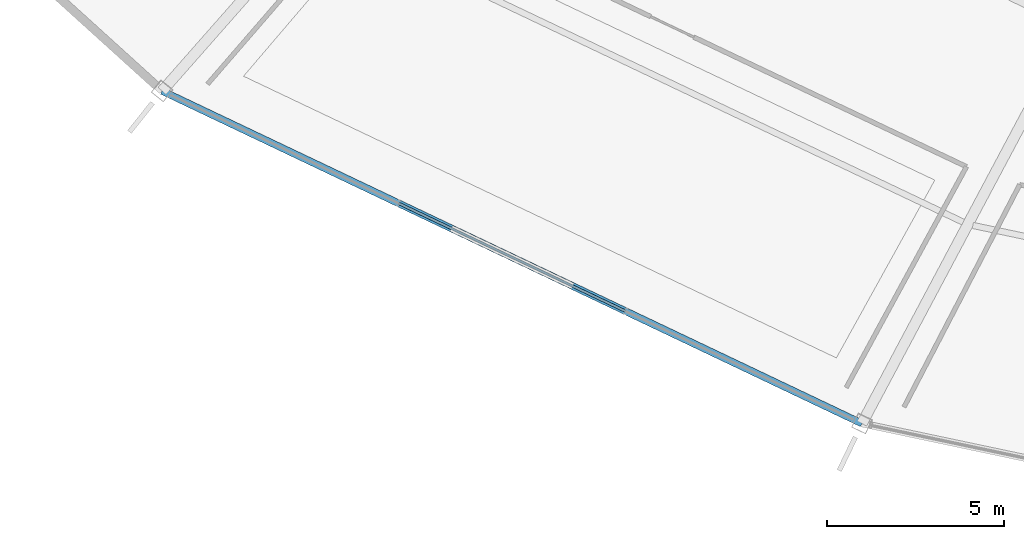
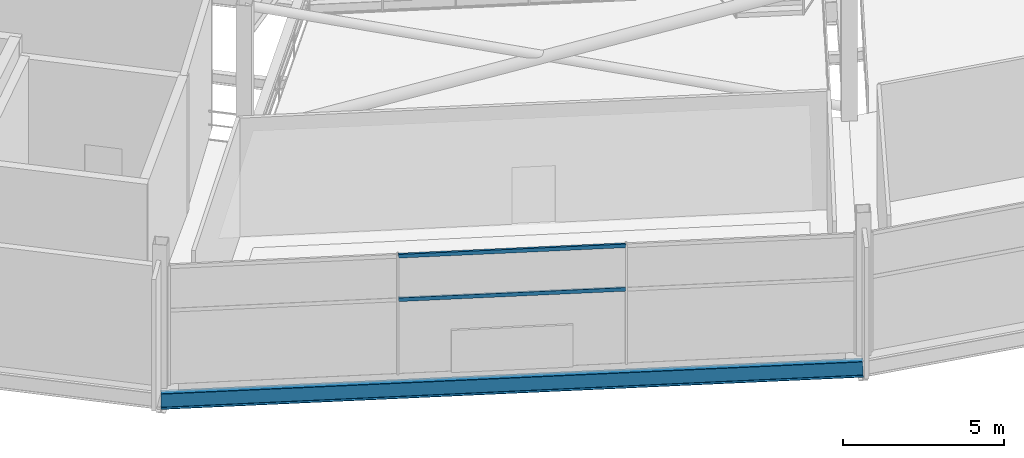
# One storey, part 15 of 186: 2 members, 1 beam, 1 element without a shape of its own.
"""IFC4 building model written with IfcOpenShell, lengths in metres."""

from ifc_helpers import new_model, si_unit, direction, frame, origin, origin_2d, place, context, subcontext, project, spatial, hollow_rectangle, i_section, extrude, material, layer, layer_set, material_profile, profile_set, type_object, element, aggregate, save


model = new_model("IFC4")

# Units and contexts
model_context = context("Model", 3, precision=1e-05, world=origin(), true_north=direction((0.0, 1.0)))
body_context = subcontext(model_context, "Body", "Model", "MODEL_VIEW")
ifc_project = project(units=[si_unit("LENGTHUNIT", "METRE"), si_unit("AREAUNIT", "SQUARE_METRE"), si_unit("VOLUMEUNIT", "CUBIC_METRE"), si_unit("PLANEANGLEUNIT", "RADIAN"), si_unit("MASSUNIT", "GRAM", prefix="KILO")], contexts=[model_context])

# Site, building, storey
site_placement = place(None, origin())
site = spatial("IfcSite", under=ifc_project, at=site_placement, CompositionType="ELEMENT")
building_placement = place(site_placement, origin())
building = spatial("IfcBuilding", under=site, at=building_placement, Name="Kazemori Nagisa Stadium", CompositionType="ELEMENT")
storey_placement = place(building_placement, frame((0.0, 0.0, 20.39990234375)))
storey = spatial("IfcBuildingStorey", under=building, at=storey_placement, Name="L04", CompositionType="ELEMENT", Elevation=20.39990234375)

# Beam
ifc_material_1 = material(Name="Steel SN490B", Category="steel")
ifc_material_profile_1 = material_profile(ifc_material_1, i_section(OverallWidth=0.199951171875, OverallDepth=0.60009765625, WebThickness=0.010986328125, FlangeThickness=0.01708984375, FilletRadius=0.012939453125, at=origin_2d()), Name="H-600x200x11x17")
ifc_profile_set_1 = profile_set([ifc_material_profile_1], Name="Steel SN490B")
beam_type = type_object("IfcBeamType", Name="Beam_BS-H600", PredefinedType="SPANDREL", material=ifc_profile_set_1)
beam_placement = place(storey_placement, frame((60.402099609375, 30.94091796875, -0.599853515625), z_axis=(0.903215644095, -0.429187022475, 0.0), x_axis=(0.429187022475, 0.903215644095, 0.0)))
element("IfcBeam", 1, at=beam_placement, inside=storey, type_object=beam_type, Name="Ring girder BS-H600 L04 R3-19", PredefinedType="SPANDREL", context=body_context, shape_type="SweptSolid", body=[
    extrude(i_section(OverallWidth=0.199951171875, OverallDepth=0.60009765625, WebThickness=0.010986328125, FlangeThickness=0.01708984375, FilletRadius=0.012939453125, at=origin_2d()), origin(), (0.0, 0.0, 1.0), 21.9140625),
])

# Curtain wall, members
ifc_material_2 = material(Name="Anodised aluminium 6063-T5", Category="aluminium")
ifc_layer = layer(ifc_material_2, 0.179931640625, Name="Anodised aluminium 6063-T5", Category="aluminium")
ifc_layer_set = layer_set([ifc_layer], Name="Anodised aluminium 6063-T5")
curtain_wall_type = type_object("IfcCurtainWallType", Name="CW_L04R3_107", PredefinedType="USERDEFINED", material=ifc_layer_set)
curtain_wall_placement = place(storey_placement, origin())
curtain_wall = element("IfcCurtainWall", 2, at=curtain_wall_placement, inside=storey, type_object=curtain_wall_type, Name="Unitised curtain wall CW-L04R3-107 L04", ObjectType="UNITISED CURTAIN WALL", PredefinedType="USERDEFINED")
ifc_material_3 = material(Name="Aluminium 6063-T5 anodised", Category="aluminium")
ifc_material_profile_2 = material_profile(ifc_material_3, hollow_rectangle(XDim=0.070068359375, YDim=0.139892578125, WallThickness=0.00390625, at=origin_2d()), Name="ALU-TRAN-70x140x4")
ifc_profile_set_2 = profile_set([ifc_material_profile_2], Name="Aluminium 6063-T5 anodised")
member_type = type_object("IfcMemberType", Name="Transom_T01", PredefinedType="USERDEFINED", material=ifc_profile_set_2)
member_1_placement = place(storey_placement, frame((67.0947265625, 27.760986328125, 2.80859375), z_axis=(0.903201805793, -0.429216143699, 0.0), x_axis=(0.429216143699, 0.903201805793, 0.0)))
member_1 = element("IfcMember", 3, at=member_1_placement, type_object=member_type, Name="Curtain wall transom CW-L04R3-107-T2-mid", ObjectType="TRANSOM", PredefinedType="USERDEFINED", context=body_context, shape_type="SweptSolid", body=[
    extrude(hollow_rectangle(XDim=0.070068359375, YDim=0.139892578125, WallThickness=0.00390625, at=origin_2d()), origin(), (0.0, 0.0, 1.0), 7.0947265625),
])
member_2_placement = place(storey_placement, frame((67.0947265625, 27.760986328125, 4.460205078125), z_axis=(0.903201805793, -0.429216143699, 0.0), x_axis=(0.429216143699, 0.903201805793, 0.0)))
member_2 = element("IfcMember", 4, at=member_2_placement, type_object=member_type, Name="Curtain wall transom CW-L04R3-107-T2-head", ObjectType="TRANSOM", PredefinedType="USERDEFINED", context=body_context, shape_type="SweptSolid", body=[
    extrude(hollow_rectangle(XDim=0.070068359375, YDim=0.139892578125, WallThickness=0.00390625, at=origin_2d()), origin(), (0.0, 0.0, 1.0), 7.0947265625),
])
aggregate(curtain_wall, [member_1, member_2])

save(model, "model.ifc")
